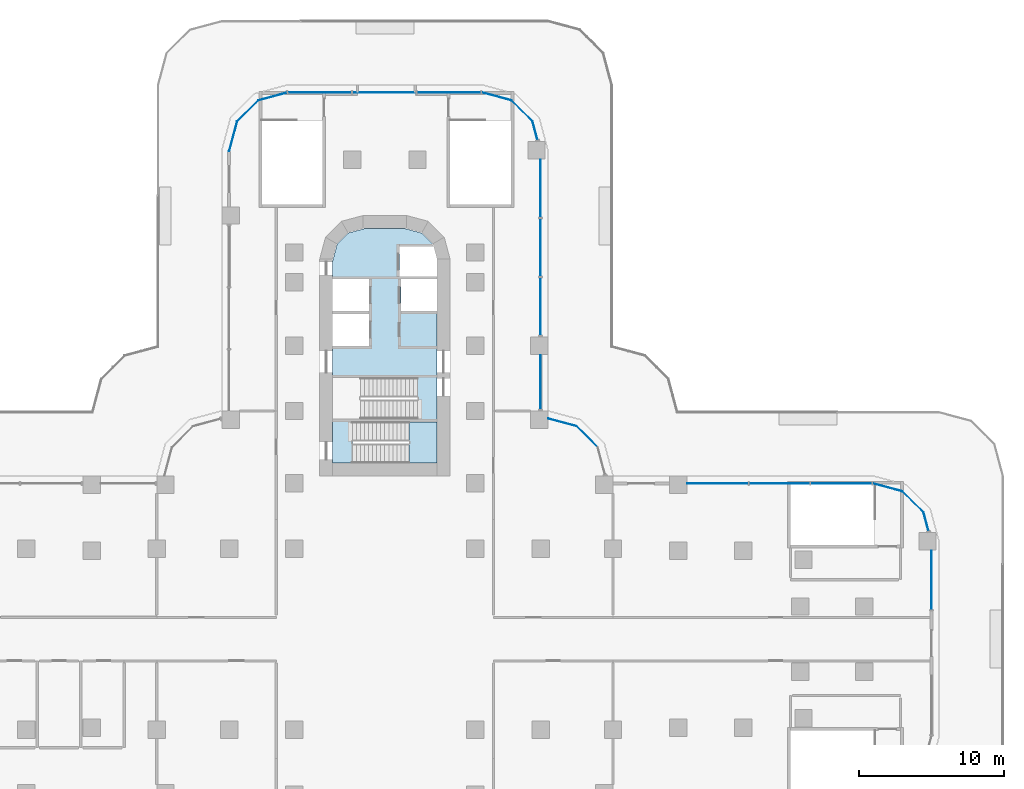
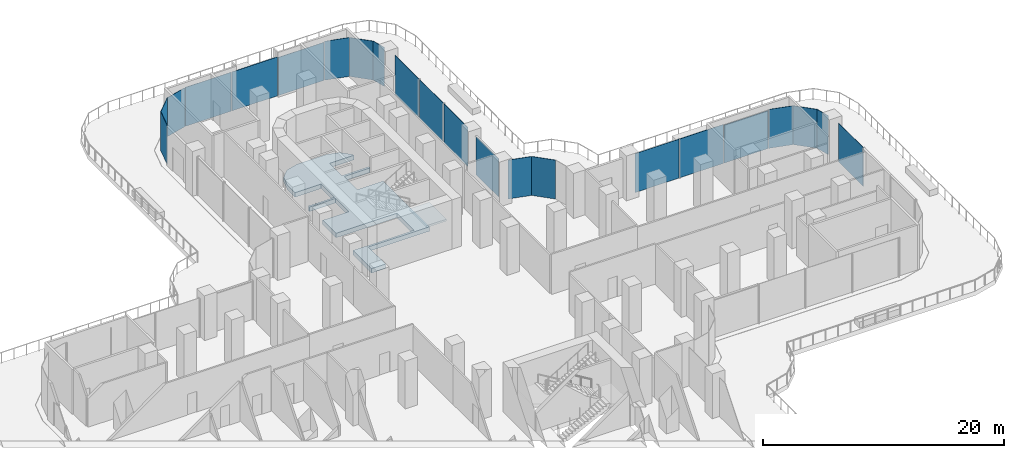
# One storey, part 11 of 21: 22 plates, 2 slabs, 16 elements without a shape of their own.
"""IFC4 building model written with IfcOpenShell, lengths in metres."""

from ifc_helpers import new_model, si_unit, direction, frame, origin, place, context, subcontext, project, spatial, polyline, outline, extrude, source, transform, mapped, material, layer, layer_set, type_object, element, aggregate, save


model = new_model("IFC4")

# Units and contexts
model_context = context("Model", 3, precision=1e-05, world=origin(), true_north=direction((0.0, 1.0)))
body_context = subcontext(model_context, "Body", "Model", "MODEL_VIEW")
ifc_project = project(units=[si_unit("LENGTHUNIT", "METRE"), si_unit("AREAUNIT", "SQUARE_METRE"), si_unit("VOLUMEUNIT", "CUBIC_METRE"), si_unit("PLANEANGLEUNIT", "RADIAN"), si_unit("MASSUNIT", "GRAM", prefix="KILO")], contexts=[model_context])

# Site, building, storey
site_placement = place(None, origin())
site = spatial("IfcSite", under=ifc_project, at=site_placement, CompositionType="ELEMENT")
building_placement = place(site_placement, origin())
building = spatial("IfcBuilding", under=site, at=building_placement, Name="Zarbagh Exchange Tower", CompositionType="ELEMENT")
storey_placement = place(building_placement, frame((0.0, 0.0, 22.0)))
storey = spatial("IfcBuildingStorey", under=building, at=storey_placement, Name="L04", CompositionType="ELEMENT", Elevation=22.0)

# Slab
ifc_material_1 = material(Name="Concrete C50/60", Category="concrete")
ifc_layer_1 = layer(ifc_material_1, 0.449951171875)
ifc_layer_set_1 = layer_set([ifc_layer_1], Name="Core floor slab 450 C50/60")
slab_type_1 = type_object("IfcSlabType", Name="Core floor slab 450 C50/60", PredefinedType="FLOOR", material=ifc_layer_set_1)
slab_1_placement = place(storey_placement, frame((0.0, 0.0, -0.449951171875)))
element("IfcSlab", 1, at=slab_1_placement, inside=storey, type_object=slab_type_1, Name="S16 core N", PredefinedType="FLOOR", context=body_context, shape_type="SweptSolid", body=[
    extrude(outline(polyline([(-3.60009765625, 12.14990234375), (-3.60009765625, 15.199951171875), (2.25, 15.199951171875), (2.25, 18.050048828125), (-3.60009765625, 18.050048828125), (-3.60009765625, 20.25), (-1.10009765625, 20.25), (-1.10009765625, 22.449951171875), (-3.60009765625, 22.449951171875), (-3.60009765625, 22.64990234375), (-1.10009765625, 22.64990234375), (-1.10009765625, 24.85009765625), (-3.60009765625, 24.85009765625), (-3.60009765625, 26.131591796875), (-3.291259765625, 27.2841796875), (-2.5341796875, 28.041259765625), (-1.381591796875, 28.35009765625), (1.381591796875, 28.35009765625), (2.5341796875, 28.041259765625), (3.291259765625, 27.2841796875), (3.340576171875, 27.10009765625), (1.0, 27.10009765625), (1.0, 25.050048828125), (3.60009765625, 25.050048828125), (3.60009765625, 24.85009765625), (1.10009765625, 24.85009765625), (1.10009765625, 22.64990234375), (3.60009765625, 22.64990234375), (3.60009765625, 15.0), (-2.25, 15.0), (-2.25, 12.14990234375), (-3.60009765625, 12.14990234375)])), origin(), (0.0, 0.0, 1.0), 0.449951171875),
])

# Stair, slab
ifc_material_2 = material(Name="Concrete C40/50", Category="concrete")
stair_type = type_object("IfcStairType", Name="Exit stair two-flight half-turn", PredefinedType="HALF_TURN_STAIR", material=ifc_material_2)
stair_placement = place(storey_placement, origin())
stair = element("IfcStair", 2, at=stair_placement, inside=storey, type_object=stair_type, Name="exit stair ST2", PredefinedType="HALF_TURN_STAIR")
ifc_layer_2 = layer(ifc_material_2, 0.199951171875)
ifc_layer_set_2 = layer_set([ifc_layer_2], Name="Stair landing 200 mm")
slab_type_2 = type_object("IfcSlabType", Name="Stair landing 200 mm", PredefinedType="LANDING", material=ifc_layer_set_2)
slab_2_placement = place(storey_placement, frame((0.0, 0.0, 2.300048828125)))
slab_2 = element("IfcSlab", 3, at=slab_2_placement, type_object=slab_type_2, Name="ST2 landing 1", PredefinedType="LANDING", context=body_context, shape_type="SweptSolid", body=[
    extrude(outline(polyline([(1.669921875, 12.14990234375), (3.60009765625, 12.14990234375), (3.60009765625, 15.0), (1.669921875, 15.0), (1.669921875, 12.14990234375)])), origin(), (0.0, 0.0, 1.0), 0.199951171875),
])
aggregate(stair, [slab_2])

# Curtain wall, plates
ifc_material_3 = material(Name="Anodised aluminium frame and glazing", Category="aluminium")
curtain_wall_type = type_object("IfcCurtainWallType", Name="CWC Podium garden-wall glazing", PredefinedType="NOTDEFINED", material=ifc_material_3)
curtain_wall_1_placement = place(storey_placement, origin())
curtain_wall_1 = element("IfcCurtainWall", 4, at=curtain_wall_1_placement, inside=storey, type_object=curtain_wall_type, Name="CWC203 curtain wall", PredefinedType="NOTDEFINED")
ifc_material_4 = material(Name="Low-e double glazed unit, 6+12+6 mm")
ifc_layer_3 = layer(ifc_material_4, 0.031982421875)
ifc_layer_set_3 = layer_set([ifc_layer_3], Name="PAC Glazing panel, Low-e double glazed unit, 6+12+6 mm")
plate_type = type_object("IfcPlateType", Name="PAC Glazing panel, Low-e double glazed unit, 6+12+6 mm", PredefinedType="CURTAIN_PANEL", material=ifc_layer_set_3)
shared_shape_1 = source(origin(), body_context, "Body", "SweptSolid", [
    extrude(outline(polyline([(0.0, -0.01611328125), (3.993408203125, -0.01611328125), (3.993408203125, 0.01611328125), (0.0, 0.01611328125), (0.0, -0.01611328125)])), origin(), (0.0, 0.0, 1.0), 3.949951171875),
])
placement = place(storey_placement, origin())
plate_1 = element("IfcPlate", 5, at=placement, type_object=plate_type, Name="CWC203 glazing panel 2.1", PredefinedType="CURTAIN_PANEL", context=body_context, shape_type="MappedRepresentation", body=[
    mapped(shared_shape_1, transform((10.75, 20.969970703125, 0.0), x_axis=(0.0, 1.0, 0.0), y_axis=(-1.0, 0.0, 0.0), z_axis=(0.0, 0.0, 1.0))),
])
plate_2 = element("IfcPlate", 6, at=placement, type_object=plate_type, Name="CWC203 glazing panel 2.2", PredefinedType="CURTAIN_PANEL", context=body_context, shape_type="MappedRepresentation", body=[
    mapped(shared_shape_1, transform((10.75, 25.04345703125, 0.0), x_axis=(0.0, 1.0, 0.0), y_axis=(-1.0, 0.0, 0.0), z_axis=(0.0, 0.0, 1.0))),
])
plate_3 = element("IfcPlate", 7, at=placement, type_object=plate_type, Name="CWC203 glazing panel 2.3", PredefinedType="CURTAIN_PANEL", context=body_context, shape_type="MappedRepresentation", body=[
    mapped(shared_shape_1, transform((10.75, 29.11669921875, 0.0), x_axis=(0.0, 1.0, 0.0), y_axis=(-1.0, 0.0, 0.0), z_axis=(0.0, 0.0, 1.0))),
])

# Curtain wall, plate
curtain_wall_2_placement = place(storey_placement, origin())
curtain_wall_2 = element("IfcCurtainWall", 8, at=curtain_wall_2_placement, inside=storey, type_object=curtain_wall_type, Name="CWC197 curtain wall", PredefinedType="NOTDEFINED")
shared_shape_2 = source(origin(), body_context, "Body", "SweptSolid", [
    extrude(outline(polyline([(0.0, -0.01611328125), (2.061279296875, -0.01611328125), (2.061279296875, 0.01611328125), (0.0, 0.01611328125), (0.0, -0.01611328125)])), origin(), (0.0, 0.0, 1.0), 3.949951171875),
])
plate_4 = element("IfcPlate", 9, at=placement, type_object=plate_type, Name="CWC197 glazing panel 1.1", PredefinedType="CURTAIN_PANEL", context=body_context, shape_type="MappedRepresentation", body=[
    mapped(shared_shape_2, transform((37.19873046875, 8.7412109375, 0.0), x_axis=(-0.707106781187, 0.707106781187, 0.0), y_axis=(-0.707106781187, -0.707106781187, 0.0), z_axis=(0.0, 0.0, 1.0))),
])
aggregate(curtain_wall_2, [plate_4])

curtain_wall_3_placement = place(storey_placement, origin())
curtain_wall_3 = element("IfcCurtainWall", 10, at=curtain_wall_3_placement, inside=storey, type_object=curtain_wall_type, Name="CWC201 curtain wall", PredefinedType="NOTDEFINED")
plate_5 = element("IfcPlate", 11, at=placement, type_object=plate_type, Name="CWC201 glazing panel 1.1", PredefinedType="CURTAIN_PANEL", context=body_context, shape_type="MappedRepresentation", body=[
    mapped(shared_shape_2, transform((14.69873046875, 13.2412109375, 0.0), x_axis=(-0.707106781187, 0.707106781187, 0.0), y_axis=(-0.707106781187, -0.707106781187, 0.0), z_axis=(0.0, 0.0, 1.0))),
])
aggregate(curtain_wall_3, [plate_5])

curtain_wall_4_placement = place(storey_placement, origin())
curtain_wall_4 = element("IfcCurtainWall", 12, at=curtain_wall_4_placement, inside=storey, type_object=curtain_wall_type, Name="CWC205 curtain wall", PredefinedType="NOTDEFINED")
plate_6 = element("IfcPlate", 13, at=placement, type_object=plate_type, Name="CWC205 glazing panel 1.1", PredefinedType="CURTAIN_PANEL", context=body_context, shape_type="MappedRepresentation", body=[
    mapped(shared_shape_2, transform((10.19873046875, 35.7412109375, 0.0), x_axis=(-0.707106781187, 0.707106781187, 0.0), y_axis=(-0.707106781187, -0.707106781187, 0.0), z_axis=(0.0, 0.0, 1.0))),
])
aggregate(curtain_wall_4, [plate_6])

curtain_wall_5_placement = place(storey_placement, origin())
curtain_wall_5 = element("IfcCurtainWall", 14, at=curtain_wall_5_placement, inside=storey, type_object=curtain_wall_type, Name="CWC209 curtain wall", PredefinedType="NOTDEFINED")
plate_7 = element("IfcPlate", 15, at=placement, type_object=plate_type, Name="CWC209 glazing panel 1.1", PredefinedType="CURTAIN_PANEL", context=body_context, shape_type="MappedRepresentation", body=[
    mapped(shared_shape_2, transform((-8.7412109375, 37.19873046875, 0.0), x_axis=(-0.707106781187, -0.707106781187, 0.0), y_axis=(0.707106781187, -0.707106781187, 0.0), z_axis=(0.0, 0.0, 1.0))),
])
aggregate(curtain_wall_5, [plate_7])

curtain_wall_6_placement = place(storey_placement, origin())
curtain_wall_6 = element("IfcCurtainWall", 16, at=curtain_wall_6_placement, inside=storey, type_object=curtain_wall_type, Name="CWC202 curtain wall", PredefinedType="NOTDEFINED")
shared_shape_3 = source(origin(), body_context, "Body", "SweptSolid", [
    extrude(outline(polyline([(0.0, -0.01611328125), (2.02001953125, -0.01611328125), (2.02001953125, 0.01611328125), (0.0, 0.01611328125), (0.0, -0.01611328125)])), origin(), (0.0, 0.0, 1.0), 3.949951171875),
])
plate_8 = element("IfcPlate", 17, at=placement, type_object=plate_type, Name="CWC202 glazing panel 1.1", PredefinedType="CURTAIN_PANEL", context=body_context, shape_type="MappedRepresentation", body=[
    mapped(shared_shape_3, transform((13.2412109375, 14.69873046875, 0.0), x_axis=(-0.965924289636, 0.258824779902, 0.0), y_axis=(-0.258824779902, -0.965924289636, 0.0), z_axis=(0.0, 0.0, 1.0))),
])
aggregate(curtain_wall_6, [plate_8])

curtain_wall_7_placement = place(storey_placement, origin())
curtain_wall_7 = element("IfcCurtainWall", 18, at=curtain_wall_7_placement, inside=storey, type_object=curtain_wall_type, Name="CWC208 curtain wall", PredefinedType="NOTDEFINED")
shared_shape_4 = source(origin(), body_context, "Body", "SweptSolid", [
    extrude(outline(polyline([(0.0, -0.01611328125), (2.049560546875, -0.01611328125), (2.049560546875, 0.01611328125), (0.0, 0.01611328125), (0.0, -0.01611328125)])), origin(), (0.0, 0.0, 1.0), 3.949951171875),
])
plate_9 = element("IfcPlate", 19, at=placement, type_object=plate_type, Name="CWC208 glazing panel 1.1", PredefinedType="CURTAIN_PANEL", context=body_context, shape_type="MappedRepresentation", body=[
    mapped(shared_shape_4, transform((-6.761474609375, 37.729248046875, 0.0), x_axis=(-0.965924289636, -0.258824779902, 0.0), y_axis=(0.258824779902, -0.965924289636, 0.0), z_axis=(0.0, 0.0, 1.0))),
])
aggregate(curtain_wall_7, [plate_9])

curtain_wall_8_placement = place(storey_placement, origin())
curtain_wall_8 = element("IfcCurtainWall", 20, at=curtain_wall_8_placement, inside=storey, type_object=curtain_wall_type, Name="CWC198 curtain wall", PredefinedType="NOTDEFINED")
shared_shape_5 = source(origin(), body_context, "Body", "SweptSolid", [
    extrude(outline(polyline([(0.0, -0.01611328125), (2.129638671875, -0.01611328125), (2.129638671875, 0.01611328125), (0.0, 0.01611328125), (0.0, -0.01611328125)])), origin(), (0.0, 0.0, 1.0), 3.949951171875),
])
plate_10 = element("IfcPlate", 21, at=placement, type_object=plate_type, Name="CWC198 glazing panel 1.1", PredefinedType="CURTAIN_PANEL", context=body_context, shape_type="MappedRepresentation", body=[
    mapped(shared_shape_5, transform((35.7412109375, 10.19873046875, 0.0), x_axis=(-0.965924289636, 0.258824779902, 0.0), y_axis=(-0.258824779902, -0.965924289636, 0.0), z_axis=(0.0, 0.0, 1.0))),
])
aggregate(curtain_wall_8, [plate_10])

curtain_wall_9_placement = place(storey_placement, origin())
curtain_wall_9 = element("IfcCurtainWall", 22, at=curtain_wall_9_placement, inside=storey, type_object=curtain_wall_type, Name="CWC206 curtain wall", PredefinedType="NOTDEFINED")
plate_11 = element("IfcPlate", 23, at=placement, type_object=plate_type, Name="CWC206 glazing panel 1.1", PredefinedType="CURTAIN_PANEL", context=body_context, shape_type="MappedRepresentation", body=[
    mapped(shared_shape_5, transform((8.7412109375, 37.19873046875, 0.0), x_axis=(-0.965924289636, 0.258824779902, 0.0), y_axis=(-0.258824779902, -0.965924289636, 0.0), z_axis=(0.0, 0.0, 1.0))),
])
aggregate(curtain_wall_9, [plate_11])

curtain_wall_10_placement = place(storey_placement, origin())
curtain_wall_10 = element("IfcCurtainWall", 24, at=curtain_wall_10_placement, inside=storey, type_object=curtain_wall_type, Name="CWC210 curtain wall", PredefinedType="NOTDEFINED")
plate_12 = element("IfcPlate", 25, at=placement, type_object=plate_type, Name="CWC210 glazing panel 1.1", PredefinedType="CURTAIN_PANEL", context=body_context, shape_type="MappedRepresentation", body=[
    mapped(shared_shape_5, transform((-10.19873046875, 35.7412109375, 0.0), x_axis=(-0.258824779902, -0.965924289636, 0.0), y_axis=(0.965924289636, -0.258824779902, 0.0), z_axis=(0.0, 0.0, 1.0))),
])
aggregate(curtain_wall_10, [plate_12])

curtain_wall_11_placement = place(storey_placement, origin())
curtain_wall_11 = element("IfcCurtainWall", 26, at=curtain_wall_11_placement, inside=storey, type_object=curtain_wall_type, Name="CWC195 curtain wall", PredefinedType="NOTDEFINED")
shared_shape_6 = source(origin(), body_context, "Body", "SweptSolid", [
    extrude(outline(polyline([(0.0, -0.01611328125), (4.067138671875, -0.01611328125), (4.067138671875, 0.01611328125), (0.0, 0.01611328125), (0.0, -0.01611328125)])), origin(), (0.0, 0.0, 1.0), 3.949951171875),
])
plate_13 = element("IfcPlate", 27, at=placement, type_object=plate_type, Name="CWC195 glazing panel 2.1", PredefinedType="CURTAIN_PANEL", context=body_context, shape_type="MappedRepresentation", body=[
    mapped(shared_shape_6, transform((37.75, 2.04296875, 0.0), x_axis=(0.0, 1.0, 0.0), y_axis=(-1.0, 0.0, 0.0), z_axis=(0.0, 0.0, 1.0))),
])
aggregate(curtain_wall_11, [plate_13])

curtain_wall_12_placement = place(storey_placement, origin())
curtain_wall_12 = element("IfcCurtainWall", 28, at=curtain_wall_12_placement, inside=storey, type_object=curtain_wall_type, Name="CWC196 curtain wall", PredefinedType="NOTDEFINED")
shared_shape_7 = source(origin(), body_context, "Body", "SweptSolid", [
    extrude(outline(polyline([(0.0, -0.01611328125), (1.31884765625, -0.01611328125), (1.31884765625, 0.01611328125), (0.0, 0.01611328125), (0.0, -0.01611328125)])), origin(), (0.0, 0.0, 1.0), 3.949951171875),
])
plate_14 = element("IfcPlate", 29, at=placement, type_object=plate_type, Name="CWC196 glazing panel 1.1", PredefinedType="CURTAIN_PANEL", context=body_context, shape_type="MappedRepresentation", body=[
    mapped(shared_shape_7, transform((37.540283203125, 7.46728515625, 0.0), x_axis=(-0.258824779902, 0.965924289636, 0.0), y_axis=(-0.965924289636, -0.258824779902, 0.0), z_axis=(0.0, 0.0, 1.0))),
])
aggregate(curtain_wall_12, [plate_14])

curtain_wall_13_placement = place(storey_placement, origin())
curtain_wall_13 = element("IfcCurtainWall", 30, at=curtain_wall_13_placement, inside=storey, type_object=curtain_wall_type, Name="CWC204 curtain wall", PredefinedType="NOTDEFINED")
plate_15 = element("IfcPlate", 31, at=placement, type_object=plate_type, Name="CWC204 glazing panel 1.1", PredefinedType="CURTAIN_PANEL", context=body_context, shape_type="MappedRepresentation", body=[
    mapped(shared_shape_7, transform((10.540283203125, 34.46728515625, 0.0), x_axis=(-0.258824779902, 0.965924289636, 0.0), y_axis=(-0.965924289636, -0.258824779902, 0.0), z_axis=(0.0, 0.0, 1.0))),
])
aggregate(curtain_wall_13, [plate_15])

# Curtain wall, plates
curtain_wall_14_placement = place(storey_placement, origin())
curtain_wall_14 = element("IfcCurtainWall", 32, at=curtain_wall_14_placement, inside=storey, type_object=curtain_wall_type, Name="CWC199 curtain wall", PredefinedType="NOTDEFINED")
shared_shape_8 = source(origin(), body_context, "Body", "SweptSolid", [
    extrude(outline(polyline([(0.0, -0.01611328125), (4.184814453125, -0.01611328125), (4.184814453125, 0.01611328125), (0.0, 0.01611328125), (0.0, -0.01611328125)])), origin(), (0.0, 0.0, 1.0), 3.8701171875),
])
plate_16 = element("IfcPlate", 33, at=placement, type_object=plate_type, Name="CWC199 glazing panel 1.1", PredefinedType="CURTAIN_PANEL", context=body_context, shape_type="MappedRepresentation", body=[
    mapped(shared_shape_8, transform((33.604248046875, 10.75, 0.0), x_axis=(-1.0, 0.0, 0.0), y_axis=(0.0, -1.0, 0.0), z_axis=(0.0, 0.0, 1.0))),
])
shared_shape_9 = source(origin(), body_context, "Body", "SweptSolid", [
    extrude(outline(polyline([(0.0, -0.01611328125), (4.184814453125, -0.01611328125), (4.184814453125, 0.01611328125), (0.0, 0.01611328125), (0.0, -0.01611328125)])), origin(), (0.0, 0.0, 1.0), 3.949951171875),
])
plate_17 = element("IfcPlate", 34, at=placement, type_object=plate_type, Name="CWC199 glazing panel 1.2", PredefinedType="CURTAIN_PANEL", context=body_context, shape_type="MappedRepresentation", body=[
    mapped(shared_shape_9, transform((29.33935546875, 10.75, 0.0), x_axis=(-1.0, 0.0, 0.0), y_axis=(0.0, -1.0, 0.0), z_axis=(0.0, 0.0, 1.0))),
])
plate_18 = element("IfcPlate", 35, at=placement, type_object=plate_type, Name="CWC199 glazing panel 1.3", PredefinedType="CURTAIN_PANEL", context=body_context, shape_type="MappedRepresentation", body=[
    mapped(shared_shape_9, transform((25.07470703125, 10.75, 0.0), x_axis=(-1.0, 0.0, 0.0), y_axis=(0.0, -1.0, 0.0), z_axis=(0.0, 0.0, 1.0))),
])
aggregate(curtain_wall_14, [plate_16, plate_17, plate_18])

# Plate
shared_shape_10 = source(origin(), body_context, "Body", "SweptSolid", [
    extrude(outline(polyline([(0.0, -0.01611328125), (3.739990234375, -0.01611328125), (3.739990234375, 0.01611328125), (0.0, 0.01611328125), (0.0, -0.01611328125)])), origin(), (0.0, 0.0, 1.0), 3.8701171875),
])
plate_19 = element("IfcPlate", 36, at=placement, type_object=plate_type, Name="CWC203 glazing panel 1.1", PredefinedType="CURTAIN_PANEL", context=body_context, shape_type="MappedRepresentation", body=[
    mapped(shared_shape_10, transform((10.75, 15.8701171875, 0.0), x_axis=(0.0, 1.0, 0.0), y_axis=(-1.0, 0.0, 0.0), z_axis=(0.0, 0.0, 1.0))),
])

aggregate(curtain_wall_1, [plate_19, plate_1, plate_2, plate_3])

# Curtain wall, plates
curtain_wall_15_placement = place(storey_placement, origin())
curtain_wall_15 = element("IfcCurtainWall", 37, at=curtain_wall_15_placement, inside=storey, type_object=curtain_wall_type, Name="CWC207 curtain wall", PredefinedType="NOTDEFINED")
shared_shape_11 = source(origin(), body_context, "Body", "SweptSolid", [
    extrude(outline(polyline([(0.0, -0.01611328125), (4.376220703125, -0.01611328125), (4.376220703125, 0.01611328125), (0.0, 0.01611328125), (0.0, -0.01611328125)])), origin(), (0.0, 0.0, 1.0), 3.8701171875),
])
plate_20 = element("IfcPlate", 38, at=placement, type_object=plate_type, Name="CWC207 glazing panel 1.1", PredefinedType="CURTAIN_PANEL", context=body_context, shape_type="MappedRepresentation", body=[
    mapped(shared_shape_11, transform((6.604248046875, 37.75, 0.0), x_axis=(-1.0, 0.0, 0.0), y_axis=(0.0, -1.0, 0.0), z_axis=(0.0, 0.0, 1.0))),
])
shared_shape_12 = source(origin(), body_context, "Body", "SweptSolid", [
    extrude(outline(polyline([(0.0, -0.01611328125), (4.376220703125, -0.01611328125), (4.376220703125, 0.01611328125), (0.0, 0.01611328125), (0.0, -0.01611328125)])), origin(), (0.0, 0.0, 1.0), 3.949951171875),
])
plate_21 = element("IfcPlate", 39, at=placement, type_object=plate_type, Name="CWC207 glazing panel 1.2", PredefinedType="CURTAIN_PANEL", context=body_context, shape_type="MappedRepresentation", body=[
    mapped(shared_shape_12, transform((2.148193359375, 37.75, 0.0), x_axis=(-1.0, 0.0, 0.0), y_axis=(0.0, -1.0, 0.0), z_axis=(0.0, 0.0, 1.0))),
])
plate_22 = element("IfcPlate", 40, at=placement, type_object=plate_type, Name="CWC207 glazing panel 1.3", PredefinedType="CURTAIN_PANEL", context=body_context, shape_type="MappedRepresentation", body=[
    mapped(shared_shape_12, transform((-2.30810546875, 37.75, 0.0), x_axis=(-1.0, 0.0, 0.0), y_axis=(0.0, -1.0, 0.0), z_axis=(0.0, 0.0, 1.0))),
])
aggregate(curtain_wall_15, [plate_20, plate_21, plate_22])

save(model, "model.ifc")
